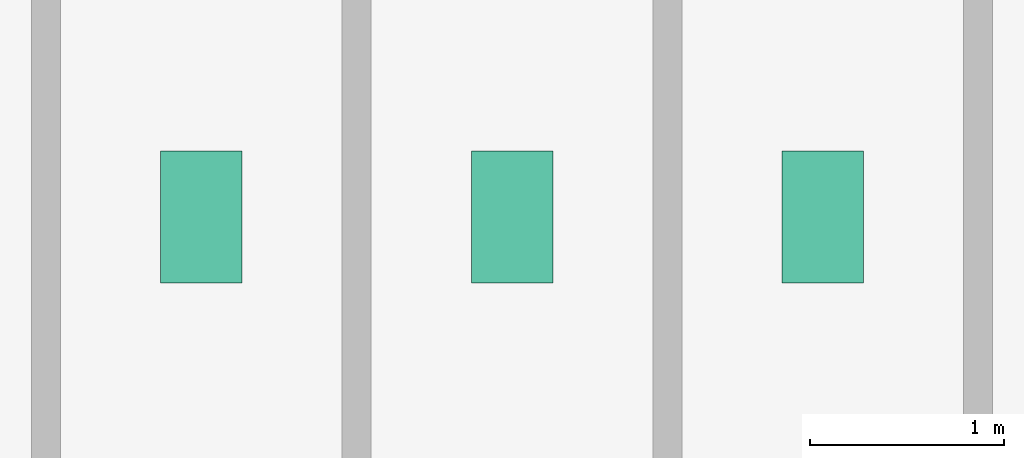
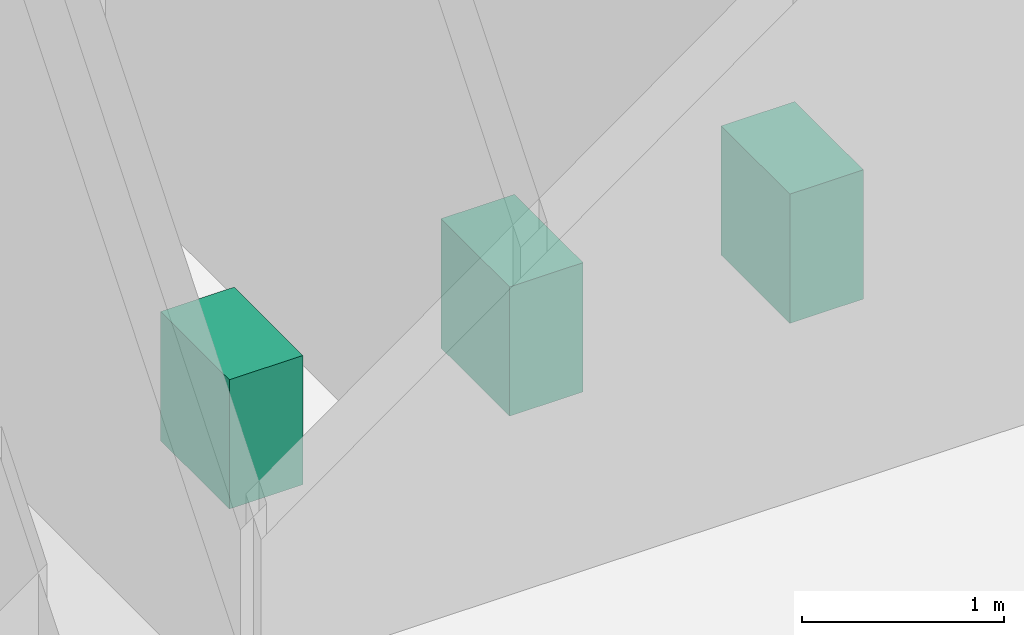
# One storey, part 25 of 25: 3 sanitary terminals.
"""IFC4 building model written with IfcOpenShell, lengths in metres."""

from ifc_helpers import new_model, si_unit, derived_unit, direction, frame, origin, origin_2d, place, context, subcontext, project, spatial, rectangle, extrude, source, transform, mapped, material, type_object, element, save


model = new_model("IFC4")

# Units and contexts
model_context = context("Model", 3, precision=1e-05, world=origin(), true_north=direction((0.0, 1.0)))
body_context = subcontext(model_context, "Body", "Model", "MODEL_VIEW")
ifc_project = project(units=[si_unit("LENGTHUNIT", "METRE"), si_unit("AREAUNIT", "SQUARE_METRE"), si_unit("VOLUMEUNIT", "CUBIC_METRE"), si_unit("PLANEANGLEUNIT", "RADIAN"), si_unit("MASSUNIT", "GRAM", prefix="KILO"), derived_unit("THERMALTRANSMITTANCEUNIT", [(si_unit("POWERUNIT", "WATT"), 1), (si_unit("LENGTHUNIT", "METRE"), -2), (si_unit("THERMODYNAMICTEMPERATUREUNIT", "KELVIN"), -1)])], contexts=[model_context])

# Site, building, storey
site_placement = place(None, origin())
site = spatial("IfcSite", under=ifc_project, at=site_placement, CompositionType="ELEMENT")
building_placement = place(site_placement, origin())
building = spatial("IfcBuilding", under=site, at=building_placement, Name="Skarnbrae Concourse Arena and Tower", CompositionType="ELEMENT")
storey_placement = place(building_placement, frame((0.0, 0.0, 88.64990234375)))
storey = spatial("IfcBuildingStorey", under=building, at=storey_placement, Name="L21", CompositionType="ELEMENT", Elevation=88.64990234375)

# Sanitary terminals
ifc_material = material(Name="Vitreous china sanitaryware", Category="other")
sanitary_terminal_type = type_object("IfcSanitaryTerminalType", Name="SAN-WC-VITREOUS", PredefinedType="TOILETPAN", material=ifc_material)
shared_shape = source(origin(), body_context, "Body", "SweptSolid", [
    extrude(rectangle(XDim=0.419921875, YDim=0.679931640625, at=origin_2d()), origin(), (0.0, 0.0, 1.0), 0.780029296875),
])
for number, where, z_axis, x_axis, name in (
    (1, (35.0, 11.39990234375, 0.0), (0.0, 0.0, 1.0), (1.0, 0.0, 0.0), "L21 Washroom WC fixture 1"),
    (2, (36.60009765625, 11.39990234375, 0.0), (0.0, 0.0, 1.0), (1.0, 0.0, 0.0), "L21 Washroom WC fixture 2"),
    (3, (38.199951171875, 11.39990234375, 0.0), (0.0, 0.0, 1.0), (1.0, 0.0, 0.0), "L21 Washroom WC fixture 3"),
):
    element("IfcSanitaryTerminal", number, at=place(storey_placement, frame(where, z_axis=z_axis, x_axis=x_axis)), inside=storey, type_object=sanitary_terminal_type, Name=name, PredefinedType="TOILETPAN", context=body_context, shape_type="MappedRepresentation", body=[
        mapped(shared_shape, transform((0.0, 0.0, 0.0))),
    ])

save(model, "model.ifc")
